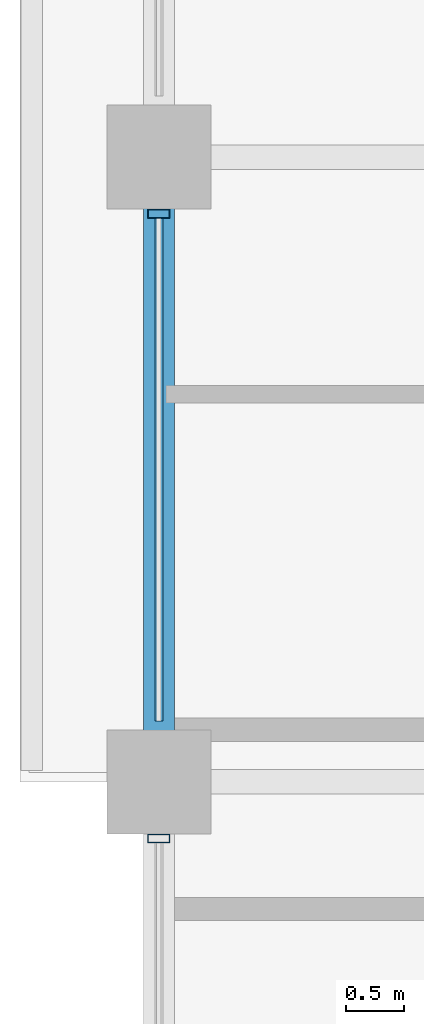
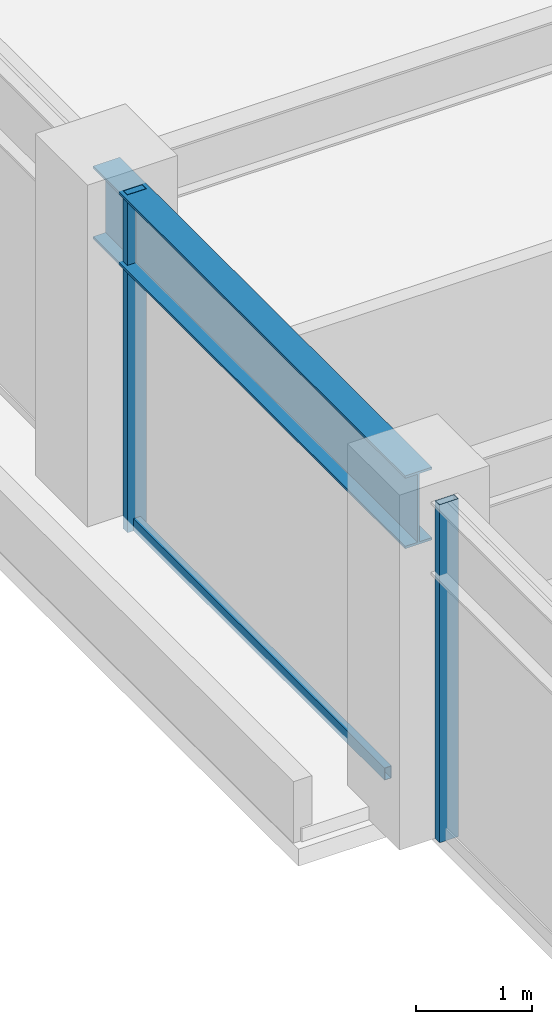
# One storey, part 10 of 31: 3 members, 1 beam, 1 element without a shape of its own.
"""IFC4 building model written with IfcOpenShell, lengths in metres."""

import ifcopenshell
import ifcopenshell.guid

model = None  # the IFC model being written
_history = None  # IfcOwnerHistory: only IFC2X3 demands one
_inside = {}  # id of a spatial element -> (the spatial element, [elements in it])
_under = {}  # id of a project, library or spatial element -> (it, [spatial elements below it])
_declared = {}  # id of a project -> (the project, [libraries it declares])
_typed = {}  # id of a type object -> (the type object, [elements of that type])
_made_of = {}  # id of a material, layer set ... -> (it, [elements and type objects made of it])


def new_model(schema):
    """Start an empty IFC model of exactly this schema.

    Asked for "IFC4X3", IfcOpenShell would pick the latest addendum, in which some entities
    have other attributes; the version numbers below select the first issue.
    IFC2X3 requires an IfcOwnerHistory on every rooted entity: one is made here for all.
    """
    global model, _history
    if schema == "IFC4X3":
        model = ifcopenshell.file(schema_version=(4, 3, 0, 0))
    else:
        model = ifcopenshell.file(schema=schema)
    _inside.clear()
    _under.clear()
    _declared.clear()
    _typed.clear()
    _made_of.clear()
    _history = None
    if model.schema == "IFC2X3":
        org = make("IfcOrganization", Name="unknown")
        user = make(
            "IfcPersonAndOrganization",
            ThePerson=make("IfcPerson", FamilyName="unknown"),
            TheOrganization=org,
        )
        app = make(
            "IfcApplication",
            ApplicationDeveloper=org,
            Version="unknown",
            ApplicationFullName="unknown",
            ApplicationIdentifier="unknown",
        )
        _history = make(
            "IfcOwnerHistory",
            OwningUser=user,
            OwningApplication=app,
            ChangeAction="ADDED",
            CreationDate=0,
        )
    return model


def make(cls, **values):
    """One entity of the class cls with the attributes given. An attribute that is None is left unset."""
    return model.create_entity(
        cls, **{name: value for name, value in values.items() if value is not None}
    )


def rooted(cls, **values):
    """An entity with a GlobalId (a new one), such as an element, a storey or a relation."""
    return make(cls, GlobalId=ifcopenshell.guid.new(), OwnerHistory=_history, **values)


def si_unit(unit_type, name, prefix=None):
    """IfcSIUnit, for example si_unit("LENGTHUNIT", "METRE", prefix="MILLI")."""
    return make("IfcSIUnit", UnitType=unit_type, Prefix=prefix, Name=name)


def assignment(units):
    """IfcUnitAssignment: the units of a project."""
    return None if units is None else make("IfcUnitAssignment", Units=units)


def point(xyz):
    """IfcCartesianPoint."""
    return None if xyz is None else make("IfcCartesianPoint", Coordinates=xyz)


def direction(xyz):
    """IfcDirection."""
    return None if xyz is None else make("IfcDirection", DirectionRatios=xyz)


def frame(location, z_axis=None, x_axis=None):
    """IfcAxis2Placement3D, a coordinate frame: its origin and axes. An axis left out is left unset."""
    return make(
        "IfcAxis2Placement3D",
        Location=point(location),
        Axis=direction(z_axis),
        RefDirection=direction(x_axis),
    )


def frame_2d(location, x_axis=None):
    """IfcAxis2Placement2D, a coordinate frame in the plane: its origin and x axis."""
    return make(
        "IfcAxis2Placement2D", Location=point(location), RefDirection=direction(x_axis)
    )


def origin():
    """The frame at (0, 0, 0) with its axes left unset."""
    return frame((0.0, 0.0, 0.0))


def origin_2d():
    """The frame at (0, 0) in the plane with its x axis left unset."""
    return frame_2d((0.0, 0.0))


def place(relative_to, where):
    """IfcLocalPlacement: puts the frame where relative to a parent placement (None: the world)."""
    return make(
        "IfcLocalPlacement", PlacementRelTo=relative_to, RelativePlacement=where
    )


def context(
    kind, dimensions, precision=None, world=None, true_north=None, identifier=None
):
    """IfcGeometricRepresentationContext, for example the 3D "Model" context."""
    return make(
        "IfcGeometricRepresentationContext",
        ContextIdentifier=identifier,
        ContextType=kind,
        CoordinateSpaceDimension=dimensions,
        Precision=precision,
        WorldCoordinateSystem=world,
        TrueNorth=true_north,
    )


def subcontext(parent, identifier, kind, view, scale=None):
    """IfcGeometricRepresentationSubContext, for example "Body" below "Model"."""
    return make(
        "IfcGeometricRepresentationSubContext",
        ContextIdentifier=identifier,
        ContextType=kind,
        ParentContext=parent,
        TargetScale=scale,
        TargetView=view,
    )


def project(units=None, contexts=None):
    """IfcProject with its units and contexts."""
    return rooted(
        "IfcProject",
        Name="project",
        RepresentationContexts=contexts,
        UnitsInContext=assignment(units),
    )


def spatial(cls, under=None, at=None, **own):
    """A site, building, storey or space (cls), placed at a placement, below another one or the project."""
    s = rooted(cls, ObjectPlacement=at, **own)
    if under is not None:
        _under.setdefault(under.id(), (under, []))[1].append(s)
    return s


def profile(cls, at=None, kind="AREA", **sizes):
    """A parametric profile (cls). Its sizes go by their IFC names, for example OverallWidth=200.0."""
    return make(cls, ProfileType=kind, Position=at, **sizes)


def hollow_rectangle(**sizes):
    """IfcRectangleHollowProfileDef."""
    return profile("IfcRectangleHollowProfileDef", **sizes)


def i_section(**sizes):
    """IfcIShapeProfileDef."""
    return profile("IfcIShapeProfileDef", **sizes)


def extrude(swept, where, along, depth):
    """IfcExtrudedAreaSolid: the profile swept, set in the frame where, extruded along a direction by depth."""
    return make(
        "IfcExtrudedAreaSolid",
        SweptArea=swept,
        Position=where,
        ExtrudedDirection=direction(along),
        Depth=depth,
    )


def shape(context_of_items, identifier, shape_type, items):
    """IfcShapeRepresentation: the items that make up one representation, for example the "Body"."""
    return make(
        "IfcShapeRepresentation",
        ContextOfItems=context_of_items,
        RepresentationIdentifier=identifier,
        RepresentationType=shape_type,
        Items=items,
    )


def material(Name=None, Category=None):
    """IfcMaterial."""
    return make("IfcMaterial", Name=Name, Category=Category)


def layer(
    of_material, thickness, ventilated=None, Name=None, Category=None, Priority=None
):
    """IfcMaterialLayer: one layer of a wall or slab, of a material (None: an air gap)."""
    return make(
        "IfcMaterialLayer",
        Material=of_material,
        LayerThickness=thickness,
        IsVentilated=ventilated,
        Name=Name,
        Category=Category,
        Priority=Priority,
    )


def layer_set(layers, Name=None):
    """IfcMaterialLayerSet."""
    return make("IfcMaterialLayerSet", MaterialLayers=layers, LayerSetName=Name)


def material_profile(
    of_material, cross_section, Name=None, Category=None, Priority=None
):
    """IfcMaterialProfile: a cross section and its material."""
    return make(
        "IfcMaterialProfile",
        Name=Name,
        Material=of_material,
        Profile=cross_section,
        Priority=Priority,
        Category=Category,
    )


def profile_set(profiles, Name=None, composite=None):
    """IfcMaterialProfileSet."""
    return make(
        "IfcMaterialProfileSet",
        Name=Name,
        MaterialProfiles=profiles,
        CompositeProfile=composite,
    )


def made_of(thing, what):
    """Note that an element or type object is made of a material, layer set ...; save() writes the relation."""
    if what is not None:
        _made_of.setdefault(what.id(), (what, []))[1].append(thing)
    return thing


def type_object(cls, material=None, **own):
    """A type object (cls), such as IfcWallType, which elements share."""
    return made_of(rooted(cls, **own), material)


def element(
    cls,
    number,
    at=None,
    inside=None,
    cuts=None,
    type_object=None,
    material=None,
    context=None,
    identifier="Body",
    shape_type=None,
    held_by="IfcProductDefinitionShape",
    body=None,
    shapes=None,
    **own,
):
    """One element of the class cls, such as IfcWall. Its Tag is "e" and its number.

    at: its placement. inside: the storey or other place that contains it. cuts: it is an
    opening in that element (IfcRelVoidsElement). A single representation is given by context,
    identifier, shape_type and body (its items); several are given by shapes. held_by: the class
    of the entity that holds the representations. save() writes the other relations.
    """
    e = rooted(cls, Tag="e%d" % number, ObjectPlacement=at, **own)
    if body is not None:
        shapes = [shape(context, identifier, shape_type, body)]
    if shapes is not None:
        e.Representation = make(held_by, Representations=shapes)
    if inside is not None:
        _inside.setdefault(inside.id(), (inside, []))[1].append(e)
    if cuts is not None:
        rooted(
            "IfcRelVoidsElement", RelatingBuildingElement=cuts, RelatedOpeningElement=e
        )
    if type_object is not None:
        _typed.setdefault(type_object.id(), (type_object, []))[1].append(e)
    return made_of(e, material)


def aggregate(whole, parts):
    """IfcRelAggregates: a whole, such as a stair, and the parts it consists of."""
    return rooted("IfcRelAggregates", RelatingObject=whole, RelatedObjects=parts)


def save(model, path):
    """Write the relations noted so far, then the file.

    IfcRelAggregates (storeys below a building ...), IfcRelContainedInSpatialStructure (elements
    in a storey), IfcRelDefinesByType, IfcRelAssociatesMaterial and IfcRelDeclares: one each for
    every whole, place, type object, material and project.
    """
    for whole, parts in _under.values():
        aggregate(whole, parts)
    for where, things in _inside.values():
        rooted(
            "IfcRelContainedInSpatialStructure",
            RelatedElements=things,
            RelatingStructure=where,
        )
    for kind, things in _typed.values():
        rooted("IfcRelDefinesByType", RelatedObjects=things, RelatingType=kind)
    for what, things in _made_of.values():
        rooted("IfcRelAssociatesMaterial", RelatedObjects=things, RelatingMaterial=what)
    for by, libraries in _declared.values():
        rooted("IfcRelDeclares", RelatingContext=by, RelatedDefinitions=libraries)
    model.write(path)


model = new_model("IFC4")

# Units and contexts
model_context = context("Model", 3, precision=1e-05, world=origin(), true_north=direction((0.0, 1.0)))
body_context = subcontext(model_context, "Body", "Model", "MODEL_VIEW")
ifc_project = project(units=[si_unit("LENGTHUNIT", "METRE"), si_unit("AREAUNIT", "SQUARE_METRE"), si_unit("VOLUMEUNIT", "CUBIC_METRE"), si_unit("PLANEANGLEUNIT", "RADIAN"), si_unit("MASSUNIT", "GRAM", prefix="KILO")], contexts=[model_context])

# Site, building, storey
site_placement = place(None, origin())
site = spatial("IfcSite", under=ifc_project, at=site_placement, CompositionType="ELEMENT")
building_placement = place(site_placement, origin())
building = spatial("IfcBuilding", under=site, at=building_placement, Name="Surkhivell Harbour Commons", CompositionType="ELEMENT")
storey_placement = place(building_placement, frame((0.0, 0.0, 193.5)))
storey = spatial("IfcBuildingStorey", under=building, at=storey_placement, Name="L50", CompositionType="ELEMENT", Elevation=193.5)

# Beam
ifc_material_1 = material(Name="Steel S355", Category="steel")
ifc_material_profile_1 = material_profile(ifc_material_1, i_section(OverallWidth=0.26806640625, OverallDepth=0.77001953125, WebThickness=0.015625, FlangeThickness=0.025390625, at=origin_2d()), Name="UB762x267x197")
ifc_profile_set_1 = profile_set([ifc_material_profile_1], Name="Steel S355")
beam_type = type_object("IfcBeamType", Name="BM-SPN-762", PredefinedType="SPANDREL", material=ifc_profile_set_1)
beam_placement = place(storey_placement, frame((-27.0, 5.39990234375, 3.18505859375), z_axis=(0.0, 1.0, 0.0), x_axis=(-1.0, 0.0, 0.0)))
element("IfcBeam", 1, at=beam_placement, inside=storey, type_object=beam_type, Name="L50 Tube Spandrel (-27.0,5.4)", PredefinedType="SPANDREL", context=body_context, shape_type="SweptSolid", body=[
    extrude(i_section(OverallWidth=0.26806640625, OverallDepth=0.77001953125, WebThickness=0.015625, FlangeThickness=0.025390625, at=origin_2d()), origin(), (0.0, 0.0, 1.0), 5.400146484375),
])

# Curtain wall, members
ifc_material_2 = material(Name="Anodised pale-metal aluminium and insulated glazing", Category="aluminium")
ifc_layer = layer(ifc_material_2, 0.18994140625)
ifc_layer_set = layer_set([ifc_layer], Name="Anodised pale-metal aluminium and insulated glazing")
curtain_wall_type = type_object("IfcCurtainWallType", Name="CW-SYS-Z3", PredefinedType="NOTDEFINED", material=ifc_layer_set)
curtain_wall_placement = place(storey_placement, origin())
curtain_wall = element("IfcCurtainWall", 2, at=curtain_wall_placement, inside=storey, type_object=curtain_wall_type, Name="L50 Curtain Wall CW-L50-E12S1", PredefinedType="NOTDEFINED")
ifc_material_3 = material(Name="Anodised pale-metal aluminium alloy 6063-T6", Category="aluminium")
ifc_material_profile_2 = material_profile(ifc_material_3, hollow_rectangle(XDim=0.074951171875, YDim=0.18994140625, WallThickness=0.00390625, at=origin_2d()), Name="ALU-MULL-75x190")
ifc_profile_set_2 = profile_set([ifc_material_profile_2], Name="Anodised pale-metal aluminium alloy 6063-T6")
member_type_1 = type_object("IfcMemberType", Name="CWM-190", PredefinedType="MULLION", material=ifc_profile_set_2)
member_1_placement = place(storey_placement, frame((-27.0, 10.310546875, 0.0), z_axis=(0.0, 0.0, 1.0), x_axis=(0.0, -1.0, 0.0)))
member_1 = element("IfcMember", 3, at=member_1_placement, type_object=member_type_1, Name="CW-Z3 mullion 3", PredefinedType="MULLION", context=body_context, shape_type="SweptSolid", body=[
    extrude(hollow_rectangle(XDim=0.074951171875, YDim=0.18994140625, WallThickness=0.00390625, at=origin_2d()), origin(), (0.0, 0.0, 1.0), 3.570068359375),
])
member_2_placement = place(storey_placement, frame((-27.0, 4.910400390625, 0.0), z_axis=(0.0, 0.0, 1.0), x_axis=(0.0, -1.0, 0.0)))
member_2 = element("IfcMember", 4, at=member_2_placement, type_object=member_type_1, Name="CW-Z3 mullion 4", PredefinedType="MULLION", context=body_context, shape_type="SweptSolid", body=[
    extrude(hollow_rectangle(XDim=0.074951171875, YDim=0.18994140625, WallThickness=0.00390625, at=origin_2d()), origin(), (0.0, 0.0, 1.0), 3.570068359375),
])
ifc_material_4 = material(Name="Champagne anodised aluminium alloy 6063-T6", Category="aluminium")
ifc_material_profile_3 = material_profile(ifc_material_4, hollow_rectangle(XDim=0.070068359375, YDim=0.1298828125, WallThickness=0.00341796875, at=origin_2d()), Name="ALU-TRAN-70x130")
ifc_profile_set_3 = profile_set([ifc_material_profile_3], Name="Champagne anodised aluminium alloy 6063-T6")
member_type_2 = type_object("IfcMemberType", Name="CWT-130", PredefinedType="USERDEFINED", material=ifc_profile_set_3)
member_3_placement = place(storey_placement, frame((-27.0, 10.27294921875, 0.06494140625), z_axis=(0.0, -1.0, 0.0), x_axis=(1.0, 0.0, 0.0)))
member_3 = element("IfcMember", 5, at=member_3_placement, type_object=member_type_2, Name="CW-Z3 transom 3.1", ObjectType="TRANSOM", PredefinedType="USERDEFINED", context=body_context, shape_type="SweptSolid", body=[
    extrude(hollow_rectangle(XDim=0.070068359375, YDim=0.1298828125, WallThickness=0.00341796875, at=origin_2d()), origin(), (0.0, 0.0, 1.0), 4.345947265625),
])
aggregate(curtain_wall, [member_1, member_3, member_2])

save(model, "model.ifc")
